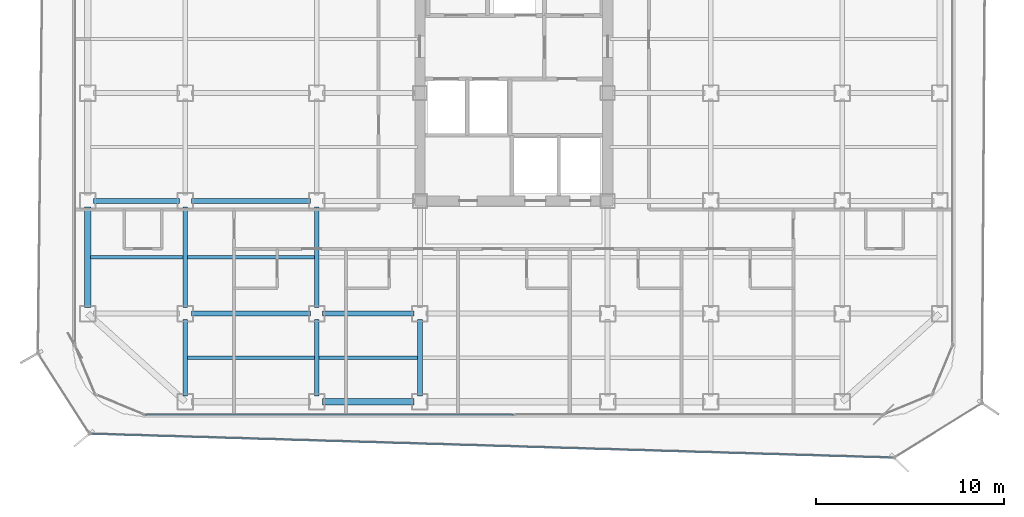
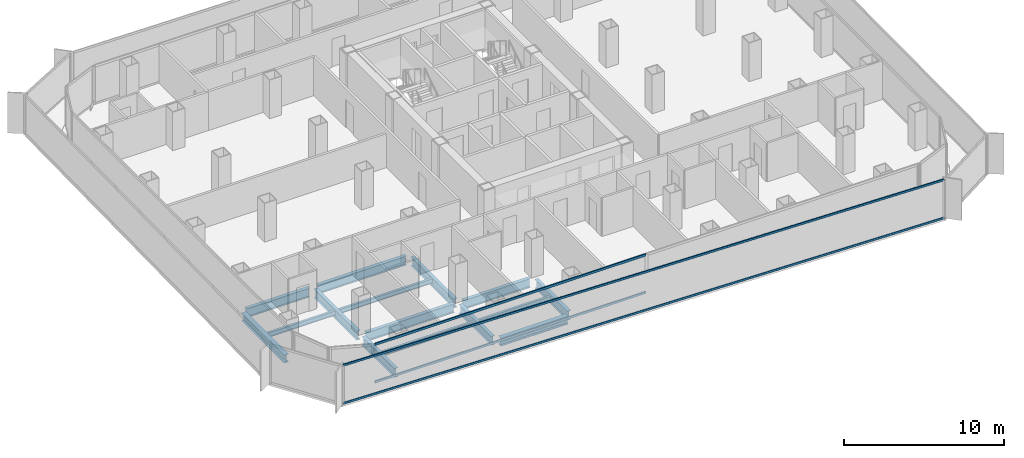
# One storey, part 3 of 21: 15 beams, 4 members, 2 elements without a shape of their own.
"""IFC4 building model written with IfcOpenShell, lengths in metres."""

import ifcopenshell
import ifcopenshell.guid

model = None  # the IFC model being written
_history = None  # IfcOwnerHistory: only IFC2X3 demands one
_inside = {}  # id of a spatial element -> (the spatial element, [elements in it])
_under = {}  # id of a project, library or spatial element -> (it, [spatial elements below it])
_declared = {}  # id of a project -> (the project, [libraries it declares])
_typed = {}  # id of a type object -> (the type object, [elements of that type])
_made_of = {}  # id of a material, layer set ... -> (it, [elements and type objects made of it])


def new_model(schema):
    """Start an empty IFC model of exactly this schema.

    Asked for "IFC4X3", IfcOpenShell would pick the latest addendum, in which some entities
    have other attributes; the version numbers below select the first issue.
    IFC2X3 requires an IfcOwnerHistory on every rooted entity: one is made here for all.
    """
    global model, _history
    if schema == "IFC4X3":
        model = ifcopenshell.file(schema_version=(4, 3, 0, 0))
    else:
        model = ifcopenshell.file(schema=schema)
    _inside.clear()
    _under.clear()
    _declared.clear()
    _typed.clear()
    _made_of.clear()
    _history = None
    if model.schema == "IFC2X3":
        org = make("IfcOrganization", Name="unknown")
        user = make(
            "IfcPersonAndOrganization",
            ThePerson=make("IfcPerson", FamilyName="unknown"),
            TheOrganization=org,
        )
        app = make(
            "IfcApplication",
            ApplicationDeveloper=org,
            Version="unknown",
            ApplicationFullName="unknown",
            ApplicationIdentifier="unknown",
        )
        _history = make(
            "IfcOwnerHistory",
            OwningUser=user,
            OwningApplication=app,
            ChangeAction="ADDED",
            CreationDate=0,
        )
    return model


def make(cls, **values):
    """One entity of the class cls with the attributes given. An attribute that is None is left unset."""
    return model.create_entity(
        cls, **{name: value for name, value in values.items() if value is not None}
    )


def rooted(cls, **values):
    """An entity with a GlobalId (a new one), such as an element, a storey or a relation."""
    return make(cls, GlobalId=ifcopenshell.guid.new(), OwnerHistory=_history, **values)


def si_unit(unit_type, name, prefix=None):
    """IfcSIUnit, for example si_unit("LENGTHUNIT", "METRE", prefix="MILLI")."""
    return make("IfcSIUnit", UnitType=unit_type, Prefix=prefix, Name=name)


def assignment(units):
    """IfcUnitAssignment: the units of a project."""
    return None if units is None else make("IfcUnitAssignment", Units=units)


def point(xyz):
    """IfcCartesianPoint."""
    return None if xyz is None else make("IfcCartesianPoint", Coordinates=xyz)


def direction(xyz):
    """IfcDirection."""
    return None if xyz is None else make("IfcDirection", DirectionRatios=xyz)


def frame(location, z_axis=None, x_axis=None):
    """IfcAxis2Placement3D, a coordinate frame: its origin and axes. An axis left out is left unset."""
    return make(
        "IfcAxis2Placement3D",
        Location=point(location),
        Axis=direction(z_axis),
        RefDirection=direction(x_axis),
    )


def frame_2d(location, x_axis=None):
    """IfcAxis2Placement2D, a coordinate frame in the plane: its origin and x axis."""
    return make(
        "IfcAxis2Placement2D", Location=point(location), RefDirection=direction(x_axis)
    )


def origin():
    """The frame at (0, 0, 0) with its axes left unset."""
    return frame((0.0, 0.0, 0.0))


def origin_2d():
    """The frame at (0, 0) in the plane with its x axis left unset."""
    return frame_2d((0.0, 0.0))


def place(relative_to, where):
    """IfcLocalPlacement: puts the frame where relative to a parent placement (None: the world)."""
    return make(
        "IfcLocalPlacement", PlacementRelTo=relative_to, RelativePlacement=where
    )


def context(
    kind, dimensions, precision=None, world=None, true_north=None, identifier=None
):
    """IfcGeometricRepresentationContext, for example the 3D "Model" context."""
    return make(
        "IfcGeometricRepresentationContext",
        ContextIdentifier=identifier,
        ContextType=kind,
        CoordinateSpaceDimension=dimensions,
        Precision=precision,
        WorldCoordinateSystem=world,
        TrueNorth=true_north,
    )


def subcontext(parent, identifier, kind, view, scale=None):
    """IfcGeometricRepresentationSubContext, for example "Body" below "Model"."""
    return make(
        "IfcGeometricRepresentationSubContext",
        ContextIdentifier=identifier,
        ContextType=kind,
        ParentContext=parent,
        TargetScale=scale,
        TargetView=view,
    )


def project(units=None, contexts=None):
    """IfcProject with its units and contexts."""
    return rooted(
        "IfcProject",
        Name="project",
        RepresentationContexts=contexts,
        UnitsInContext=assignment(units),
    )


def spatial(cls, under=None, at=None, **own):
    """A site, building, storey or space (cls), placed at a placement, below another one or the project."""
    s = rooted(cls, ObjectPlacement=at, **own)
    if under is not None:
        _under.setdefault(under.id(), (under, []))[1].append(s)
    return s


def profile(cls, at=None, kind="AREA", **sizes):
    """A parametric profile (cls). Its sizes go by their IFC names, for example OverallWidth=200.0."""
    return make(cls, ProfileType=kind, Position=at, **sizes)


def hollow_rectangle(**sizes):
    """IfcRectangleHollowProfileDef."""
    return profile("IfcRectangleHollowProfileDef", **sizes)


def i_section(**sizes):
    """IfcIShapeProfileDef."""
    return profile("IfcIShapeProfileDef", **sizes)


def extrude(swept, where, along, depth):
    """IfcExtrudedAreaSolid: the profile swept, set in the frame where, extruded along a direction by depth."""
    return make(
        "IfcExtrudedAreaSolid",
        SweptArea=swept,
        Position=where,
        ExtrudedDirection=direction(along),
        Depth=depth,
    )


def shape(context_of_items, identifier, shape_type, items):
    """IfcShapeRepresentation: the items that make up one representation, for example the "Body"."""
    return make(
        "IfcShapeRepresentation",
        ContextOfItems=context_of_items,
        RepresentationIdentifier=identifier,
        RepresentationType=shape_type,
        Items=items,
    )


def source(mapping_origin, context_of_items, identifier, shape_type, items):
    """IfcRepresentationMap: a shape defined once, which mapped items show again and again."""
    return make(
        "IfcRepresentationMap",
        MappingOrigin=mapping_origin,
        MappedRepresentation=shape(context_of_items, identifier, shape_type, items),
    )


def transform(
    local_origin,
    x_axis=None,
    y_axis=None,
    z_axis=None,
    scale=None,
    scale2=None,
    scale3=None,
    uniform=True,
):
    """IfcCartesianTransformationOperator3D, or its non-uniform kind. x_axis, y_axis, z_axis: its Axis1, 2, 3."""
    if uniform:
        return make(
            "IfcCartesianTransformationOperator3D",
            Axis1=direction(x_axis),
            Axis2=direction(y_axis),
            LocalOrigin=point(local_origin),
            Scale=scale,
            Axis3=direction(z_axis),
        )
    return make(
        "IfcCartesianTransformationOperator3DnonUniform",
        Axis1=direction(x_axis),
        Axis2=direction(y_axis),
        LocalOrigin=point(local_origin),
        Scale=scale,
        Axis3=direction(z_axis),
        Scale2=scale2,
        Scale3=scale3,
    )


def mapped(mapping_source, mapping_target):
    """IfcMappedItem: shows the shape of a source again, moved by a transform."""
    return make(
        "IfcMappedItem", MappingSource=mapping_source, MappingTarget=mapping_target
    )


def material(Name=None, Category=None):
    """IfcMaterial."""
    return make("IfcMaterial", Name=Name, Category=Category)


def layer(
    of_material, thickness, ventilated=None, Name=None, Category=None, Priority=None
):
    """IfcMaterialLayer: one layer of a wall or slab, of a material (None: an air gap)."""
    return make(
        "IfcMaterialLayer",
        Material=of_material,
        LayerThickness=thickness,
        IsVentilated=ventilated,
        Name=Name,
        Category=Category,
        Priority=Priority,
    )


def layer_set(layers, Name=None):
    """IfcMaterialLayerSet."""
    return make("IfcMaterialLayerSet", MaterialLayers=layers, LayerSetName=Name)


def material_profile(
    of_material, cross_section, Name=None, Category=None, Priority=None
):
    """IfcMaterialProfile: a cross section and its material."""
    return make(
        "IfcMaterialProfile",
        Name=Name,
        Material=of_material,
        Profile=cross_section,
        Priority=Priority,
        Category=Category,
    )


def profile_set(profiles, Name=None, composite=None):
    """IfcMaterialProfileSet."""
    return make(
        "IfcMaterialProfileSet",
        Name=Name,
        MaterialProfiles=profiles,
        CompositeProfile=composite,
    )


def made_of(thing, what):
    """Note that an element or type object is made of a material, layer set ...; save() writes the relation."""
    if what is not None:
        _made_of.setdefault(what.id(), (what, []))[1].append(thing)
    return thing


def type_object(cls, material=None, **own):
    """A type object (cls), such as IfcWallType, which elements share."""
    return made_of(rooted(cls, **own), material)


def element(
    cls,
    number,
    at=None,
    inside=None,
    cuts=None,
    type_object=None,
    material=None,
    context=None,
    identifier="Body",
    shape_type=None,
    held_by="IfcProductDefinitionShape",
    body=None,
    shapes=None,
    **own,
):
    """One element of the class cls, such as IfcWall. Its Tag is "e" and its number.

    at: its placement. inside: the storey or other place that contains it. cuts: it is an
    opening in that element (IfcRelVoidsElement). A single representation is given by context,
    identifier, shape_type and body (its items); several are given by shapes. held_by: the class
    of the entity that holds the representations. save() writes the other relations.
    """
    e = rooted(cls, Tag="e%d" % number, ObjectPlacement=at, **own)
    if body is not None:
        shapes = [shape(context, identifier, shape_type, body)]
    if shapes is not None:
        e.Representation = make(held_by, Representations=shapes)
    if inside is not None:
        _inside.setdefault(inside.id(), (inside, []))[1].append(e)
    if cuts is not None:
        rooted(
            "IfcRelVoidsElement", RelatingBuildingElement=cuts, RelatedOpeningElement=e
        )
    if type_object is not None:
        _typed.setdefault(type_object.id(), (type_object, []))[1].append(e)
    return made_of(e, material)


def aggregate(whole, parts):
    """IfcRelAggregates: a whole, such as a stair, and the parts it consists of."""
    return rooted("IfcRelAggregates", RelatingObject=whole, RelatedObjects=parts)


def save(model, path):
    """Write the relations noted so far, then the file.

    IfcRelAggregates (storeys below a building ...), IfcRelContainedInSpatialStructure (elements
    in a storey), IfcRelDefinesByType, IfcRelAssociatesMaterial and IfcRelDeclares: one each for
    every whole, place, type object, material and project.
    """
    for whole, parts in _under.values():
        aggregate(whole, parts)
    for where, things in _inside.values():
        rooted(
            "IfcRelContainedInSpatialStructure",
            RelatedElements=things,
            RelatingStructure=where,
        )
    for kind, things in _typed.values():
        rooted("IfcRelDefinesByType", RelatedObjects=things, RelatingType=kind)
    for what, things in _made_of.values():
        rooted("IfcRelAssociatesMaterial", RelatedObjects=things, RelatingMaterial=what)
    for by, libraries in _declared.values():
        rooted("IfcRelDeclares", RelatingContext=by, RelatedDefinitions=libraries)
    model.write(path)


model = new_model("IFC4")

# Units and contexts
model_context = context("Model", 3, precision=1e-05, world=origin(), true_north=direction((0.0, 1.0)))
body_context = subcontext(model_context, "Body", "Model", "MODEL_VIEW")
ifc_project = project(units=[si_unit("LENGTHUNIT", "METRE"), si_unit("AREAUNIT", "SQUARE_METRE"), si_unit("VOLUMEUNIT", "CUBIC_METRE"), si_unit("PLANEANGLEUNIT", "RADIAN"), si_unit("MASSUNIT", "GRAM", prefix="KILO")], contexts=[model_context])

# Site, building, storey
site_placement = place(None, origin())
site = spatial("IfcSite", under=ifc_project, at=site_placement, CompositionType="ELEMENT")
building_placement = place(site_placement, origin())
building = spatial("IfcBuilding", under=site, at=building_placement, Name="Kolveth Station Tower", CompositionType="ELEMENT")
storey_placement = place(building_placement, frame((0.0, 0.0, 115.10009765625)))
storey = spatial("IfcBuildingStorey", under=building, at=storey_placement, Name="L31", CompositionType="ELEMENT", Elevation=115.10009765625)

# Beams
ifc_material_1 = material(Name="Steel S355", Category="steel")
ifc_material_profile_1 = material_profile(ifc_material_1, i_section(OverallWidth=0.323974609375, OverallDepth=0.611083984375, WebThickness=0.0126953125, FlangeThickness=0.01904296875, at=origin_2d()), Name="W610x155")
ifc_profile_set_1 = profile_set([ifc_material_profile_1], Name="Steel S355")
beam_type_1 = type_object("IfcBeamType", Name="Beam_SP2", PredefinedType="SPANDREL", material=ifc_profile_set_1)
shared_shape_1 = source(origin(), body_context, "Body", "SweptSolid", [
    extrude(i_section(OverallWidth=0.323974609375, OverallDepth=0.611083984375, WebThickness=0.0126953125, FlangeThickness=0.01904296875, at=origin_2d()), origin(), (0.0, 0.0, 1.0), 4.85986328125),
])
beam_1_placement = place(storey_placement, frame((13.320068359375, 0.800048828125, -0.5556640625), z_axis=(1.0, 0.0, 0.0), x_axis=(0.0, 1.0, 0.0)))
element("IfcBeam", 1, at=beam_1_placement, inside=storey, type_object=beam_type_1, Name="L31 Perimeter Spandrel BM-L31-PS-2", PredefinedType="SPANDREL", context=body_context, shape_type="MappedRepresentation", body=[
    mapped(shared_shape_1, transform((0.0, 0.0, 0.0), x_axis=(1.0, 0.0, 0.0), y_axis=(0.0, 1.0, 0.0), z_axis=(0.0, 0.0, 1.0), scale=1.0)),
])
shared_shape_2 = source(origin(), body_context, "Body", "SweptSolid", [
    extrude(i_section(OverallWidth=0.323974609375, OverallDepth=0.611083984375, WebThickness=0.0126953125, FlangeThickness=0.01904296875, at=origin_2d()), origin(), (0.0, 0.0, 1.0), 5.35986328125),
])
beam_2_placement = place(storey_placement, frame((0.800048828125, 5.820068359375, -0.5556640625), z_axis=(0.0, 1.0, 0.0), x_axis=(-1.0, 0.0, 0.0)))
element("IfcBeam", 2, at=beam_2_placement, inside=storey, type_object=beam_type_1, Name="L31 Perimeter Spandrel BM-L31-PW-1", PredefinedType="SPANDREL", context=body_context, shape_type="MappedRepresentation", body=[
    mapped(shared_shape_2, transform((0.0, 0.0, 0.0), x_axis=(1.0, 0.0, 0.0), y_axis=(0.0, 1.0, 0.0), z_axis=(0.0, 0.0, 1.0), scale=1.0)),
])
ifc_material_profile_2 = material_profile(ifc_material_1, i_section(OverallWidth=0.25390625, OverallDepth=0.68798828125, WebThickness=0.01318359375, FlangeThickness=0.02099609375, at=origin_2d()), Name="W690x152")
ifc_profile_set_2 = profile_set([ifc_material_profile_2], Name="Steel S355")
beam_type_2 = type_object("IfcBeamType", Name="Beam_B4", PredefinedType="BEAM", material=ifc_profile_set_2)
shared_shape_3 = source(origin(), body_context, "Body", "SweptSolid", [
    extrude(i_section(OverallWidth=0.25390625, OverallDepth=0.68798828125, WebThickness=0.01318359375, FlangeThickness=0.02099609375, at=origin_2d()), origin(), (0.0, 0.0, 1.0), 4.559814453125),
])
beam_3_placement = place(storey_placement, frame((1.1201171875, 11.5, -0.593994140625), z_axis=(1.0, 0.0, 0.0), x_axis=(0.0, 1.0, 0.0)))
element("IfcBeam", 3, at=beam_3_placement, inside=storey, type_object=beam_type_2, Name="L31 Primary Girder BM-L31-GY115-1", PredefinedType="BEAM", context=body_context, shape_type="MappedRepresentation", body=[
    mapped(shared_shape_3, transform((0.0, 0.0, 0.0), x_axis=(1.0, 0.0, 0.0), y_axis=(0.0, 1.0, 0.0), z_axis=(0.0, 0.0, 1.0), scale=1.0)),
])
shared_shape_4 = source(origin(), body_context, "Body", "SweptSolid", [
    extrude(i_section(OverallWidth=0.25390625, OverallDepth=0.68798828125, WebThickness=0.01318359375, FlangeThickness=0.02099609375, at=origin_2d()), origin(), (0.0, 0.0, 1.0), 6.35986328125),
])
for number, where, z_axis, x_axis, name in (
    (4, (6.320068359375, 5.5, -0.593994140625), (1.0, 0.0, 0.0), (0.0, 1.0, 0.0), "L31 Primary Girder BM-L31-GY55-2"),
    (5, (6.320068359375, 11.5, -0.593994140625), (1.0, 0.0, 0.0), (0.0, 1.0, 0.0), "L31 Primary Girder BM-L31-GY115-2"),
):
    element("IfcBeam", number, at=place(storey_placement, frame(where, z_axis=z_axis, x_axis=x_axis)), inside=storey, type_object=beam_type_2, Name=name, PredefinedType="BEAM", context=body_context, shape_type="MappedRepresentation", body=[
        mapped(shared_shape_4, transform((0.0, 0.0, 0.0), x_axis=(1.0, 0.0, 0.0), y_axis=(0.0, 1.0, 0.0), z_axis=(0.0, 0.0, 1.0), scale=1.0)),
    ])
shared_shape_5 = source(origin(), body_context, "Body", "SweptSolid", [
    extrude(i_section(OverallWidth=0.25390625, OverallDepth=0.68798828125, WebThickness=0.01318359375, FlangeThickness=0.02099609375, at=origin_2d()), origin(), (0.0, 0.0, 1.0), 4.85986328125),
])
beam_4_placement = place(storey_placement, frame((13.320068359375, 5.5, -0.593994140625), z_axis=(1.0, 0.0, 0.0), x_axis=(0.0, 1.0, 0.0)))
element("IfcBeam", 6, at=beam_4_placement, inside=storey, type_object=beam_type_2, Name="L31 Primary Girder BM-L31-GY55-3", PredefinedType="BEAM", context=body_context, shape_type="MappedRepresentation", body=[
    mapped(shared_shape_5, transform((0.0, 0.0, 0.0), x_axis=(1.0, 0.0, 0.0), y_axis=(0.0, 1.0, 0.0), z_axis=(0.0, 0.0, 1.0), scale=1.0)),
])
shared_shape_6 = source(origin(), body_context, "Body", "SweptSolid", [
    extrude(i_section(OverallWidth=0.25390625, OverallDepth=0.68798828125, WebThickness=0.01318359375, FlangeThickness=0.02099609375, at=origin_2d()), origin(), (0.0, 0.0, 1.0), 4.059814453125),
])
for number, where, z_axis, x_axis, name in (
    (7, (6.0, 1.1201171875, -0.593994140625), (0.0, 1.0, 0.0), (-1.0, 0.0, 0.0), "L31 Primary Girder BM-L31-GX60-1"),
    (8, (13.0, 1.1201171875, -0.593994140625), (0.0, 1.0, 0.0), (-1.0, 0.0, 0.0), "L31 Primary Girder BM-L31-GX130-1"),
    (9, (18.5, 1.1201171875, -0.593994140625), (0.0, 1.0, 0.0), (-1.0, 0.0, 0.0), "L31 Primary Girder BM-L31-GX185-1"),
):
    element("IfcBeam", number, at=place(storey_placement, frame(where, z_axis=z_axis, x_axis=x_axis)), inside=storey, type_object=beam_type_2, Name=name, PredefinedType="BEAM", context=body_context, shape_type="MappedRepresentation", body=[
        mapped(shared_shape_6, transform((0.0, 0.0, 0.0), x_axis=(1.0, 0.0, 0.0), y_axis=(0.0, 1.0, 0.0), z_axis=(0.0, 0.0, 1.0), scale=1.0)),
    ])
shared_shape_7 = source(origin(), body_context, "Body", "SweptSolid", [
    extrude(i_section(OverallWidth=0.25390625, OverallDepth=0.68798828125, WebThickness=0.01318359375, FlangeThickness=0.02099609375, at=origin_2d()), origin(), (0.0, 0.0, 1.0), 5.35986328125),
])
for number, where, z_axis, x_axis, name in (
    (10, (6.0, 5.820068359375, -0.593994140625), (0.0, 1.0, 0.0), (-1.0, 0.0, 0.0), "L31 Primary Girder BM-L31-GX60-2"),
    (11, (13.0, 5.820068359375, -0.593994140625), (0.0, 1.0, 0.0), (-1.0, 0.0, 0.0), "L31 Primary Girder BM-L31-GX130-2"),
):
    element("IfcBeam", number, at=place(storey_placement, frame(where, z_axis=z_axis, x_axis=x_axis)), inside=storey, type_object=beam_type_2, Name=name, PredefinedType="BEAM", context=body_context, shape_type="MappedRepresentation", body=[
        mapped(shared_shape_7, transform((0.0, 0.0, 0.0), x_axis=(1.0, 0.0, 0.0), y_axis=(0.0, 1.0, 0.0), z_axis=(0.0, 0.0, 1.0), scale=1.0)),
    ])
ifc_material_profile_3 = material_profile(ifc_material_1, i_section(OverallWidth=0.1708984375, OverallDepth=0.35205078125, WebThickness=0.0068359375, FlangeThickness=0.009765625, at=origin_2d()), Name="W360x44")
ifc_profile_set_3 = profile_set([ifc_material_profile_3], Name="Steel S355")
beam_type_3 = type_object("IfcBeamType", Name="Beam_J2", PredefinedType="JOIST", material=ifc_profile_set_3)
shared_shape_8 = source(origin(), body_context, "Body", "SweptSolid", [
    extrude(i_section(OverallWidth=0.1708984375, OverallDepth=0.35205078125, WebThickness=0.0068359375, FlangeThickness=0.009765625, at=origin_2d()), origin(), (0.0, 0.0, 1.0), 4.9150390625),
])
beam_5_placement = place(storey_placement, frame((0.9599609375, 8.5, -0.426025390625), z_axis=(1.0, 0.0, 0.0), x_axis=(0.0, 1.0, 0.0)))
element("IfcBeam", 12, at=beam_5_placement, inside=storey, type_object=beam_type_3, Name="L31 Secondary Joist JST-L31-1-2", PredefinedType="JOIST", context=body_context, shape_type="MappedRepresentation", body=[
    mapped(shared_shape_8, transform((0.0, 0.0, 0.0), x_axis=(1.0, 0.0, 0.0), y_axis=(0.0, 1.0, 0.0), z_axis=(0.0, 0.0, 1.0), scale=1.0)),
])
shared_shape_9 = source(origin(), body_context, "Body", "SweptSolid", [
    extrude(i_section(OverallWidth=0.1708984375, OverallDepth=0.35205078125, WebThickness=0.0068359375, FlangeThickness=0.009765625, at=origin_2d()), origin(), (0.0, 0.0, 1.0), 6.75),
])
for number, where, z_axis, x_axis, name in (
    (13, (6.125, 3.14990234375, -0.426025390625), (1.0, 0.0, 0.0), (0.0, 1.0, 0.0), "L31 Secondary Joist JST-L31-2-1"),
    (14, (6.125, 8.5, -0.426025390625), (1.0, 0.0, 0.0), (0.0, 1.0, 0.0), "L31 Secondary Joist JST-L31-2-2"),
):
    element("IfcBeam", number, at=place(storey_placement, frame(where, z_axis=z_axis, x_axis=x_axis)), inside=storey, type_object=beam_type_3, Name=name, PredefinedType="JOIST", context=body_context, shape_type="MappedRepresentation", body=[
        mapped(shared_shape_9, transform((0.0, 0.0, 0.0), x_axis=(1.0, 0.0, 0.0), y_axis=(0.0, 1.0, 0.0), z_axis=(0.0, 0.0, 1.0), scale=1.0)),
    ])
shared_shape_10 = source(origin(), body_context, "Body", "SweptSolid", [
    extrude(i_section(OverallWidth=0.1708984375, OverallDepth=0.35205078125, WebThickness=0.0068359375, FlangeThickness=0.009765625, at=origin_2d()), origin(), (0.0, 0.0, 1.0), 5.25),
])
beam_6_placement = place(storey_placement, frame((13.125, 3.14990234375, -0.426025390625), z_axis=(1.0, 0.0, 0.0), x_axis=(0.0, 1.0, 0.0)))
element("IfcBeam", 15, at=beam_6_placement, inside=storey, type_object=beam_type_3, Name="L31 Secondary Joist JST-L31-3-1", PredefinedType="JOIST", context=body_context, shape_type="MappedRepresentation", body=[
    mapped(shared_shape_10, transform((0.0, 0.0, 0.0), x_axis=(1.0, 0.0, 0.0), y_axis=(0.0, 1.0, 0.0), z_axis=(0.0, 0.0, 1.0), scale=1.0)),
])

# Curtain wall, members
ifc_material_2 = material(Name="Aluminium 6063-T6 and low-E dark glass", Category="aluminium")
ifc_layer_1 = layer(ifc_material_2, 0.18994140625)
ifc_layer_set_1 = layer_set([ifc_layer_1], Name="Aluminium 6063-T6 and low-E dark glass")
curtain_wall_type_1 = type_object("IfcCurtainWallType", Name="CurtainWall_CW-Z2", PredefinedType="NOTDEFINED", material=ifc_layer_set_1)
curtain_wall_1_placement = place(storey_placement, origin())
curtain_wall_1 = element("IfcCurtainWall", 16, at=curtain_wall_1_placement, inside=storey, type_object=curtain_wall_type_1, Name="L31 Inner Thermal Curtain Wall 12", PredefinedType="NOTDEFINED")
ifc_material_3 = material(Name="Black anodized aluminium 6063-T6", Category="aluminium")
ifc_material_profile_4 = material_profile(ifc_material_3, hollow_rectangle(XDim=0.080078125, YDim=0.169921875, WallThickness=0.0048828125, at=origin_2d()), Name="ALU-80x170x5")
ifc_profile_set_4 = profile_set([ifc_material_profile_4], Name="Black anodized aluminium 6063-T6")
member_type_1 = type_object("IfcMemberType", Name="Transom_TR2", PredefinedType="USERDEFINED", material=ifc_profile_set_4)
shared_shape_11 = source(origin(), body_context, "Body", "SweptSolid", [
    extrude(hollow_rectangle(XDim=0.080078125, YDim=0.169921875, WallThickness=0.0048828125, at=origin_2d()), origin(), (0.0, 0.0, 1.0), 19.580078125),
])
member_1_placement = place(storey_placement, frame((3.8798828125, 0.1201171875, 0.039794921875), z_axis=(1.0, 0.0, 0.0), x_axis=(0.0, 1.0, 0.0)))
member_1 = element("IfcMember", 17, at=member_1_placement, type_object=member_type_1, Name="CW-Z2 transom 1.1", ObjectType="TRANSOM", PredefinedType="USERDEFINED", context=body_context, shape_type="MappedRepresentation", body=[
    mapped(shared_shape_11, transform((0.0, 0.0, 0.0), x_axis=(1.0, 0.0, 0.0), y_axis=(0.0, 1.0, 0.0), z_axis=(0.0, 0.0, 1.0), scale=1.0)),
])
member_2_placement = place(storey_placement, frame((3.8798828125, 0.1201171875, 2.909912109375), z_axis=(1.0, 0.0, 0.0), x_axis=(0.0, 1.0, 0.0)))
member_2 = element("IfcMember", 18, at=member_2_placement, type_object=member_type_1, Name="CW-Z2 transom 1.2", ObjectType="TRANSOM", PredefinedType="USERDEFINED", context=body_context, shape_type="MappedRepresentation", body=[
    mapped(shared_shape_11, transform((0.0, 0.0, 0.0), x_axis=(1.0, 0.0, 0.0), y_axis=(0.0, 1.0, 0.0), z_axis=(0.0, 0.0, 1.0), scale=1.0)),
])
aggregate(curtain_wall_1, [member_1, member_2])

ifc_material_4 = material(Name="Black anodized aluminium 6063-T6 and dark solar glass", Category="aluminium")
ifc_layer_2 = layer(ifc_material_4, 0.159912109375)
ifc_layer_set_2 = layer_set([ifc_layer_2], Name="Black anodized aluminium 6063-T6 and dark solar glass")
curtain_wall_type_2 = type_object("IfcCurtainWallType", Name="OUTER SKIN CW-OS", PredefinedType="NOTDEFINED", material=ifc_layer_set_2)
curtain_wall_2_placement = place(storey_placement, origin())
curtain_wall_2 = element("IfcCurtainWall", 19, at=curtain_wall_2_placement, inside=storey, type_object=curtain_wall_type_2, Name="L31 Outer Ventilated Skin Curtain Wall 8", PredefinedType="NOTDEFINED")
ifc_material_profile_5 = material_profile(ifc_material_3, hollow_rectangle(XDim=0.080078125, YDim=0.14990234375, WallThickness=0.0048828125, at=origin_2d()), Name="ALU-80x150x5")
ifc_profile_set_5 = profile_set([ifc_material_profile_5], Name="Black anodized aluminium 6063-T6")
member_type_2 = type_object("IfcMemberType", Name="Transom_TR-OS", PredefinedType="USERDEFINED", material=ifc_profile_set_5)
shared_shape_12 = source(origin(), body_context, "Body", "SweptSolid", [
    extrude(hollow_rectangle(XDim=0.080078125, YDim=0.14990234375, WallThickness=0.0048828125, at=origin_2d()), origin(), (0.0, 0.0, 1.0), 42.703125),
])
member_3_placement = place(storey_placement, frame((0.992919921875, -0.90380859375, 0.039794921875), z_axis=(0.999556795078, -0.029769336811, 0.0), x_axis=(0.029769336811, 0.999556795078, 0.0)))
member_3 = element("IfcMember", 20, at=member_3_placement, type_object=member_type_2, Name="CW-OS transom 1.1", ObjectType="TRANSOM", PredefinedType="USERDEFINED", context=body_context, shape_type="MappedRepresentation", body=[
    mapped(shared_shape_12, transform((0.0, 0.0, 0.0), x_axis=(1.0, 0.0, 0.0), y_axis=(0.0, 1.0, 0.0), z_axis=(0.0, 0.0, 1.0), scale=1.0)),
])
member_4_placement = place(storey_placement, frame((0.992919921875, -0.90380859375, 2.949951171875), z_axis=(0.999556795078, -0.029769336811, 0.0), x_axis=(0.029769336811, 0.999556795078, 0.0)))
member_4 = element("IfcMember", 21, at=member_4_placement, type_object=member_type_2, Name="CW-OS transom 1.2", ObjectType="TRANSOM", PredefinedType="USERDEFINED", context=body_context, shape_type="MappedRepresentation", body=[
    mapped(shared_shape_12, transform((0.0, 0.0, 0.0), x_axis=(1.0, 0.0, 0.0), y_axis=(0.0, 1.0, 0.0), z_axis=(0.0, 0.0, 1.0), scale=1.0)),
])
aggregate(curtain_wall_2, [member_3, member_4])

save(model, "model.ifc")
